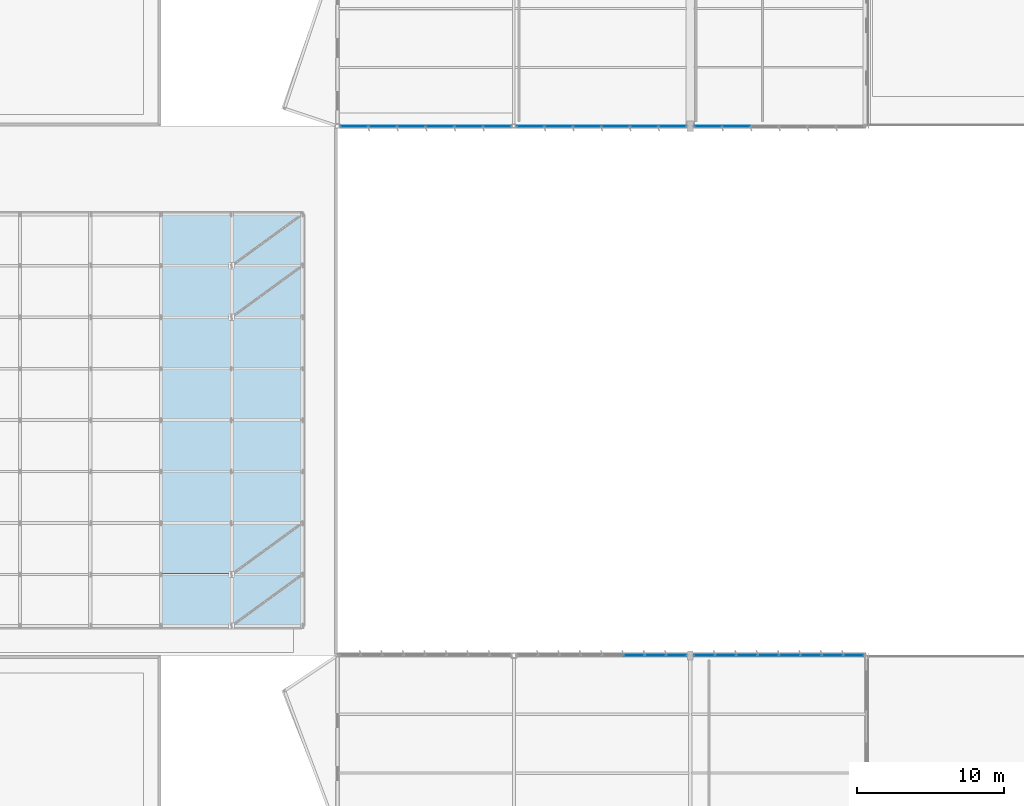
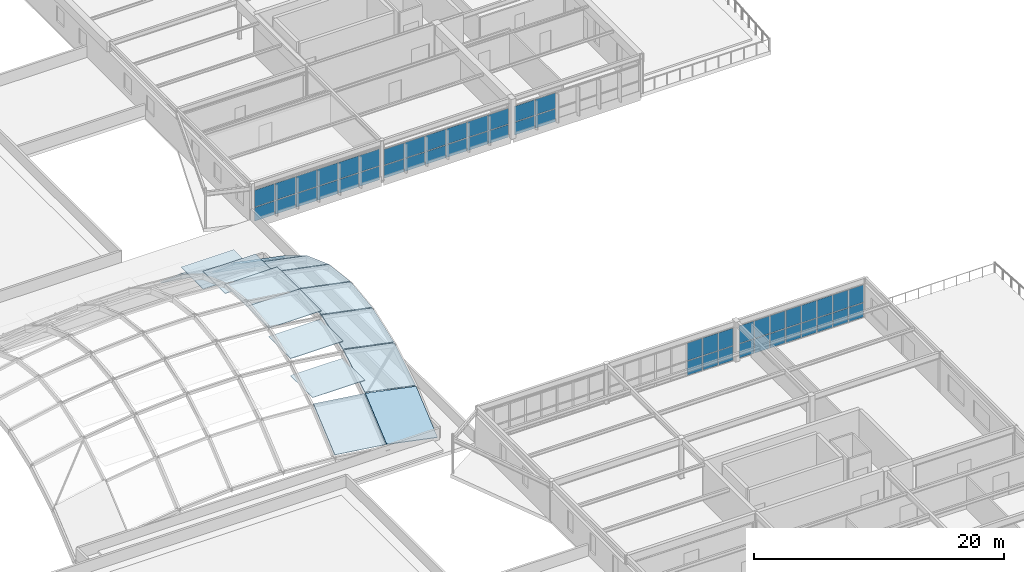
# One storey, part 81 of 128: 56 plates, 10 slabs, 5 elements without a shape of their own.
"""IFC4 building model written with IfcOpenShell, lengths in metres."""

from ifc_helpers import new_model, si_unit, direction, frame, origin, origin_2d, place, context, subcontext, project, spatial, polyline, rectangle, outline, extrude, material, layer, layer_set, type_object, element, aggregate, save


model = new_model("IFC4")

# Units and contexts
model_context = context("Model", 3, precision=1e-05, world=origin(), true_north=direction((0.0, 1.0)))
body_context = subcontext(model_context, "Body", "Model", "MODEL_VIEW")
ifc_project = project(units=[si_unit("LENGTHUNIT", "METRE"), si_unit("AREAUNIT", "SQUARE_METRE"), si_unit("VOLUMEUNIT", "CUBIC_METRE"), si_unit("PLANEANGLEUNIT", "RADIAN"), si_unit("MASSUNIT", "GRAM", prefix="KILO")], contexts=[model_context])

# Site, building, storey
site_placement = place(None, origin())
site = spatial("IfcSite", under=ifc_project, at=site_placement, CompositionType="ELEMENT")
building_placement = place(site_placement, origin())
building = spatial("IfcBuilding", under=site, at=building_placement, Name="Tarnwether General Hospital", CompositionType="ELEMENT")
storey_placement = place(building_placement, frame((0.0, 0.0, 14.39990234375)))
storey = spatial("IfcBuildingStorey", under=building, at=storey_placement, Name="L03", CompositionType="ELEMENT", Elevation=14.39990234375)

# Curtain wall, plates
ifc_material_1 = material(Name="Anodised aluminium", Category="aluminium")
ifc_layer_1 = layer(ifc_material_1, 0.159912109375)
ifc_layer_set_1 = layer_set([ifc_layer_1], Name="Anodised aluminium")
curtain_wall_type_1 = type_object("IfcCurtainWallType", Name="CW-18", PredefinedType="NOTDEFINED", material=ifc_layer_set_1)
curtain_wall_1_placement = place(storey_placement, origin())
curtain_wall_1 = element("IfcCurtainWall", 1, at=curtain_wall_1_placement, inside=storey, type_object=curtain_wall_type_1, Name="Curtain Wall CWG-L03-1562_456-0477", PredefinedType="NOTDEFINED")
ifc_material_2 = material(Name="Double glazed low-E glass", Category="glass")
ifc_layer_2 = layer(ifc_material_2, 0.028076171875)
ifc_layer_set_2 = layer_set([ifc_layer_2], Name="Double glazed low-E glass")
plate_type_1 = type_object("IfcPlateType", Name="PT-CWP1", PredefinedType="CURTAIN_PANEL", material=ifc_layer_set_2)
plate_1_placement = place(storey_placement, frame((164.1650390625, 45.60009765625, 0.06005859375), z_axis=(0.0, 0.0, 1.0), x_axis=(1.0, 0.0, 0.0)))
plate_1 = element("IfcPlate", 2, at=plate_1_placement, type_object=plate_type_1, Name="CW-18 panel 6.1", PredefinedType="CURTAIN_PANEL", context=body_context, shape_type="SweptSolid", body=[
    extrude(rectangle(XDim=1.390869140625, YDim=0.028076171875, at=origin_2d()), origin(), (0.0, 0.0, 1.0), 1.3828125),
])
plate_2_placement = place(storey_placement, frame((164.1650390625, 45.60009765625, 1.5029296875), z_axis=(0.0, 0.0, 1.0), x_axis=(1.0, 0.0, 0.0)))
plate_2 = element("IfcPlate", 3, at=plate_2_placement, type_object=plate_type_1, Name="CW-18 panel 6.2", PredefinedType="CURTAIN_PANEL", context=body_context, shape_type="SweptSolid", body=[
    extrude(rectangle(XDim=1.390869140625, YDim=0.028076171875, at=origin_2d()), origin(), (0.0, 0.0, 1.0), 1.710205078125),
])
plate_3_placement = place(storey_placement, frame((165.615966796875, 45.60009765625, 0.06005859375), z_axis=(0.0, 0.0, 1.0), x_axis=(1.0, 0.0, 0.0)))
plate_3 = element("IfcPlate", 4, at=plate_3_placement, type_object=plate_type_1, Name="CW-18 panel 7.1", PredefinedType="CURTAIN_PANEL", context=body_context, shape_type="SweptSolid", body=[
    extrude(rectangle(XDim=1.390869140625, YDim=0.028076171875, at=origin_2d()), origin(), (0.0, 0.0, 1.0), 1.3828125),
])
plate_4_placement = place(storey_placement, frame((165.615966796875, 45.60009765625, 1.5029296875), z_axis=(0.0, 0.0, 1.0), x_axis=(1.0, 0.0, 0.0)))
plate_4 = element("IfcPlate", 5, at=plate_4_placement, type_object=plate_type_1, Name="CW-18 panel 7.2", PredefinedType="CURTAIN_PANEL", context=body_context, shape_type="SweptSolid", body=[
    extrude(rectangle(XDim=1.390869140625, YDim=0.028076171875, at=origin_2d()), origin(), (0.0, 0.0, 1.0), 1.710205078125),
])
plate_5_placement = place(storey_placement, frame((167.051513671875, 45.60009765625, 0.06005859375), z_axis=(0.0, 0.0, 1.0), x_axis=(1.0, 0.0, 0.0)))
plate_5 = element("IfcPlate", 6, at=plate_5_placement, type_object=plate_type_1, Name="CW-18 panel 8.1", PredefinedType="CURTAIN_PANEL", context=body_context, shape_type="SweptSolid", body=[
    extrude(rectangle(XDim=1.36083984375, YDim=0.028076171875, at=origin_2d()), origin(), (0.0, 0.0, 1.0), 1.3828125),
])
plate_6_placement = place(storey_placement, frame((167.051513671875, 45.60009765625, 1.5029296875), z_axis=(0.0, 0.0, 1.0), x_axis=(1.0, 0.0, 0.0)))
plate_6 = element("IfcPlate", 7, at=plate_6_placement, type_object=plate_type_1, Name="CW-18 panel 8.2", PredefinedType="CURTAIN_PANEL", context=body_context, shape_type="SweptSolid", body=[
    extrude(rectangle(XDim=1.36083984375, YDim=0.028076171875, at=origin_2d()), origin(), (0.0, 0.0, 1.0), 1.710205078125),
])
aggregate(curtain_wall_1, [plate_1, plate_2, plate_3, plate_4, plate_5, plate_6])

curtain_wall_2_placement = place(storey_placement, origin())
curtain_wall_2 = element("IfcCurtainWall", 8, at=curtain_wall_2_placement, inside=storey, type_object=curtain_wall_type_1, Name="Curtain Wall CWG-L03-1682_456-0478", PredefinedType="NOTDEFINED")
plate_7_placement = place(storey_placement, frame((168.949951171875, 45.60009765625, 0.06005859375), z_axis=(0.0, 0.0, 1.0), x_axis=(1.0, 0.0, 0.0)))
plate_7 = element("IfcPlate", 9, at=plate_7_placement, type_object=plate_type_1, Name="CW-18 panel 1.1", PredefinedType="CURTAIN_PANEL", context=body_context, shape_type="SweptSolid", body=[
    extrude(rectangle(XDim=1.36376953125, YDim=0.028076171875, at=origin_2d()), origin(), (0.0, 0.0, 1.0), 1.385009765625),
])
plate_8_placement = place(storey_placement, frame((168.949951171875, 45.60009765625, 1.505126953125), z_axis=(0.0, 0.0, 1.0), x_axis=(1.0, 0.0, 0.0)))
plate_8 = element("IfcPlate", 10, at=plate_8_placement, type_object=plate_type_1, Name="CW-18 panel 1.2", PredefinedType="CURTAIN_PANEL", context=body_context, shape_type="SweptSolid", body=[
    extrude(rectangle(XDim=1.36376953125, YDim=0.028076171875, at=origin_2d()), origin(), (0.0, 0.0, 1.0), 1.712890625),
])
plate_9_placement = place(storey_placement, frame((170.388671875, 45.60009765625, 0.06005859375), z_axis=(0.0, 0.0, 1.0), x_axis=(1.0, 0.0, 0.0)))
plate_9 = element("IfcPlate", 11, at=plate_9_placement, type_object=plate_type_1, Name="CW-18 panel 2.1", PredefinedType="CURTAIN_PANEL", context=body_context, shape_type="SweptSolid", body=[
    extrude(rectangle(XDim=1.393798828125, YDim=0.028076171875, at=origin_2d()), origin(), (0.0, 0.0, 1.0), 1.385009765625),
])
plate_10_placement = place(storey_placement, frame((170.388671875, 45.60009765625, 1.505126953125), z_axis=(0.0, 0.0, 1.0), x_axis=(1.0, 0.0, 0.0)))
plate_10 = element("IfcPlate", 12, at=plate_10_placement, type_object=plate_type_1, Name="CW-18 panel 2.2", PredefinedType="CURTAIN_PANEL", context=body_context, shape_type="SweptSolid", body=[
    extrude(rectangle(XDim=1.393798828125, YDim=0.028076171875, at=origin_2d()), origin(), (0.0, 0.0, 1.0), 1.712890625),
])
plate_11_placement = place(storey_placement, frame((171.84228515625, 45.60009765625, 0.06005859375), z_axis=(0.0, 0.0, 1.0), x_axis=(1.0, 0.0, 0.0)))
plate_11 = element("IfcPlate", 13, at=plate_11_placement, type_object=plate_type_1, Name="CW-18 panel 3.1", PredefinedType="CURTAIN_PANEL", context=body_context, shape_type="SweptSolid", body=[
    extrude(rectangle(XDim=1.393798828125, YDim=0.028076171875, at=origin_2d()), origin(), (0.0, 0.0, 1.0), 1.385009765625),
])
plate_12_placement = place(storey_placement, frame((171.84228515625, 45.60009765625, 1.505126953125), z_axis=(0.0, 0.0, 1.0), x_axis=(1.0, 0.0, 0.0)))
plate_12 = element("IfcPlate", 14, at=plate_12_placement, type_object=plate_type_1, Name="CW-18 panel 3.2", PredefinedType="CURTAIN_PANEL", context=body_context, shape_type="SweptSolid", body=[
    extrude(rectangle(XDim=1.393798828125, YDim=0.028076171875, at=origin_2d()), origin(), (0.0, 0.0, 1.0), 1.712890625),
])
plate_13_placement = place(storey_placement, frame((173.296142578125, 45.60009765625, 0.06005859375), z_axis=(0.0, 0.0, 1.0), x_axis=(1.0, 0.0, 0.0)))
plate_13 = element("IfcPlate", 15, at=plate_13_placement, type_object=plate_type_1, Name="CW-18 panel 4.1", PredefinedType="CURTAIN_PANEL", context=body_context, shape_type="SweptSolid", body=[
    extrude(rectangle(XDim=1.393798828125, YDim=0.028076171875, at=origin_2d()), origin(), (0.0, 0.0, 1.0), 1.385009765625),
])
plate_14_placement = place(storey_placement, frame((173.296142578125, 45.60009765625, 1.505126953125), z_axis=(0.0, 0.0, 1.0), x_axis=(1.0, 0.0, 0.0)))
plate_14 = element("IfcPlate", 16, at=plate_14_placement, type_object=plate_type_1, Name="CW-18 panel 4.2", PredefinedType="CURTAIN_PANEL", context=body_context, shape_type="SweptSolid", body=[
    extrude(rectangle(XDim=1.393798828125, YDim=0.028076171875, at=origin_2d()), origin(), (0.0, 0.0, 1.0), 1.712890625),
])
plate_15_placement = place(storey_placement, frame((174.749755859375, 45.60009765625, 0.06005859375), z_axis=(0.0, 0.0, 1.0), x_axis=(1.0, 0.0, 0.0)))
plate_15 = element("IfcPlate", 17, at=plate_15_placement, type_object=plate_type_1, Name="CW-18 panel 5.1", PredefinedType="CURTAIN_PANEL", context=body_context, shape_type="SweptSolid", body=[
    extrude(rectangle(XDim=1.393798828125, YDim=0.028076171875, at=origin_2d()), origin(), (0.0, 0.0, 1.0), 1.385009765625),
])
plate_16_placement = place(storey_placement, frame((174.749755859375, 45.60009765625, 1.505126953125), z_axis=(0.0, 0.0, 1.0), x_axis=(1.0, 0.0, 0.0)))
plate_16 = element("IfcPlate", 18, at=plate_16_placement, type_object=plate_type_1, Name="CW-18 panel 5.2", PredefinedType="CURTAIN_PANEL", context=body_context, shape_type="SweptSolid", body=[
    extrude(rectangle(XDim=1.393798828125, YDim=0.028076171875, at=origin_2d()), origin(), (0.0, 0.0, 1.0), 1.712890625),
])
plate_17_placement = place(storey_placement, frame((176.20361328125, 45.60009765625, 0.06005859375), z_axis=(0.0, 0.0, 1.0), x_axis=(1.0, 0.0, 0.0)))
plate_17 = element("IfcPlate", 19, at=plate_17_placement, type_object=plate_type_1, Name="CW-18 panel 6.1", PredefinedType="CURTAIN_PANEL", context=body_context, shape_type="SweptSolid", body=[
    extrude(rectangle(XDim=1.393798828125, YDim=0.028076171875, at=origin_2d()), origin(), (0.0, 0.0, 1.0), 1.385009765625),
])
plate_18_placement = place(storey_placement, frame((176.20361328125, 45.60009765625, 1.505126953125), z_axis=(0.0, 0.0, 1.0), x_axis=(1.0, 0.0, 0.0)))
plate_18 = element("IfcPlate", 20, at=plate_18_placement, type_object=plate_type_1, Name="CW-18 panel 6.2", PredefinedType="CURTAIN_PANEL", context=body_context, shape_type="SweptSolid", body=[
    extrude(rectangle(XDim=1.393798828125, YDim=0.028076171875, at=origin_2d()), origin(), (0.0, 0.0, 1.0), 1.712890625),
])
plate_19_placement = place(storey_placement, frame((177.657470703125, 45.60009765625, 0.06005859375), z_axis=(0.0, 0.0, 1.0), x_axis=(1.0, 0.0, 0.0)))
plate_19 = element("IfcPlate", 21, at=plate_19_placement, type_object=plate_type_1, Name="CW-18 panel 7.1", PredefinedType="CURTAIN_PANEL", context=body_context, shape_type="SweptSolid", body=[
    extrude(rectangle(XDim=1.393798828125, YDim=0.028076171875, at=origin_2d()), origin(), (0.0, 0.0, 1.0), 1.385009765625),
])
plate_20_placement = place(storey_placement, frame((177.657470703125, 45.60009765625, 1.505126953125), z_axis=(0.0, 0.0, 1.0), x_axis=(1.0, 0.0, 0.0)))
plate_20 = element("IfcPlate", 22, at=plate_20_placement, type_object=plate_type_1, Name="CW-18 panel 7.2", PredefinedType="CURTAIN_PANEL", context=body_context, shape_type="SweptSolid", body=[
    extrude(rectangle(XDim=1.393798828125, YDim=0.028076171875, at=origin_2d()), origin(), (0.0, 0.0, 1.0), 1.712890625),
])
plate_21_placement = place(storey_placement, frame((179.09619140625, 45.60009765625, 0.06005859375), z_axis=(0.0, 0.0, 1.0), x_axis=(1.0, 0.0, 0.0)))
plate_21 = element("IfcPlate", 23, at=plate_21_placement, type_object=plate_type_1, Name="CW-18 panel 8.1", PredefinedType="CURTAIN_PANEL", context=body_context, shape_type="SweptSolid", body=[
    extrude(rectangle(XDim=1.36376953125, YDim=0.028076171875, at=origin_2d()), origin(), (0.0, 0.0, 1.0), 1.385009765625),
])
plate_22_placement = place(storey_placement, frame((179.09619140625, 45.60009765625, 1.505126953125), z_axis=(0.0, 0.0, 1.0), x_axis=(1.0, 0.0, 0.0)))
plate_22 = element("IfcPlate", 24, at=plate_22_placement, type_object=plate_type_1, Name="CW-18 panel 8.2", PredefinedType="CURTAIN_PANEL", context=body_context, shape_type="SweptSolid", body=[
    extrude(rectangle(XDim=1.36376953125, YDim=0.028076171875, at=origin_2d()), origin(), (0.0, 0.0, 1.0), 1.712890625),
])
aggregate(curtain_wall_2, [plate_7, plate_8, plate_9, plate_10, plate_11, plate_12, plate_13, plate_14, plate_15, plate_16, plate_17, plate_18, plate_19, plate_20, plate_21, plate_22])

ifc_material_3 = material(Name="Anodised aluminium", Category="aluminium")
ifc_layer_3 = layer(ifc_material_3, 0.159912109375)
ifc_layer_set_3 = layer_set([ifc_layer_3], Name="Anodised aluminium")
curtain_wall_type_2 = type_object("IfcCurtainWallType", Name="CW-17", PredefinedType="NOTDEFINED", material=ifc_layer_set_3)
curtain_wall_3_placement = place(storey_placement, origin())
curtain_wall_3 = element("IfcCurtainWall", 25, at=curtain_wall_3_placement, inside=storey, type_object=curtain_wall_type_2, Name="Curtain Wall CWG-L03-1799_816-0485", PredefinedType="NOTDEFINED")
plate_23_placement = place(storey_placement, frame((171.14013671875, 81.60009765625, 0.06005859375), z_axis=(0.0, 0.0, 1.0), x_axis=(-1.0, 0.0, 0.0)))
plate_23 = element("IfcPlate", 26, at=plate_23_placement, type_object=plate_type_1, Name="CW-17 panel 5.1", PredefinedType="CURTAIN_PANEL", context=body_context, shape_type="SweptSolid", body=[
    extrude(rectangle(XDim=1.878173828125, YDim=0.028076171875, at=origin_2d()), origin(), (0.0, 0.0, 1.0), 1.230712890625),
])
plate_24_placement = place(storey_placement, frame((171.14013671875, 81.60009765625, 1.35107421875), z_axis=(0.0, 0.0, 1.0), x_axis=(-1.0, 0.0, 0.0)))
plate_24 = element("IfcPlate", 27, at=plate_24_placement, type_object=plate_type_1, Name="CW-17 panel 5.2", PredefinedType="CURTAIN_PANEL", context=body_context, shape_type="SweptSolid", body=[
    extrude(rectangle(XDim=1.878173828125, YDim=0.028076171875, at=origin_2d()), origin(), (0.0, 0.0, 1.0), 1.524169921875),
])
plate_25_placement = place(storey_placement, frame((169.217041015625, 81.60009765625, 0.06005859375), z_axis=(0.0, 0.0, 1.0), x_axis=(-1.0, 0.0, 0.0)))
plate_25 = element("IfcPlate", 28, at=plate_25_placement, type_object=plate_type_1, Name="CW-17 panel 6.1", PredefinedType="CURTAIN_PANEL", context=body_context, shape_type="SweptSolid", body=[
    extrude(rectangle(XDim=1.84814453125, YDim=0.028076171875, at=origin_2d()), origin(), (0.0, 0.0, 1.0), 1.230712890625),
])
plate_26_placement = place(storey_placement, frame((169.217041015625, 81.60009765625, 1.35107421875), z_axis=(0.0, 0.0, 1.0), x_axis=(-1.0, 0.0, 0.0)))
plate_26 = element("IfcPlate", 29, at=plate_26_placement, type_object=plate_type_1, Name="CW-17 panel 6.2", PredefinedType="CURTAIN_PANEL", context=body_context, shape_type="SweptSolid", body=[
    extrude(rectangle(XDim=1.84814453125, YDim=0.028076171875, at=origin_2d()), origin(), (0.0, 0.0, 1.0), 1.524169921875),
])
aggregate(curtain_wall_3, [plate_23, plate_24, plate_25, plate_26])

curtain_wall_4_placement = place(storey_placement, origin())
curtain_wall_4 = element("IfcCurtainWall", 30, at=curtain_wall_4_placement, inside=storey, type_object=curtain_wall_type_2, Name="Curtain Wall CWG-L03-1678_816-0486", PredefinedType="NOTDEFINED")
plate_27_placement = place(storey_placement, frame((166.783447265625, 81.60009765625, 0.06005859375), z_axis=(0.0, 0.0, 1.0), x_axis=(-1.0, 0.0, 0.0)))
plate_27 = element("IfcPlate", 31, at=plate_27_placement, type_object=plate_type_1, Name="CW-17 panel 1.1", PredefinedType="CURTAIN_PANEL", context=body_context, shape_type="SweptSolid", body=[
    extrude(rectangle(XDim=1.846923828125, YDim=0.028076171875, at=origin_2d()), origin(), (0.0, 0.0, 1.0), 1.230712890625),
])
plate_28_placement = place(storey_placement, frame((166.783447265625, 81.60009765625, 1.35107421875), z_axis=(0.0, 0.0, 1.0), x_axis=(-1.0, 0.0, 0.0)))
plate_28 = element("IfcPlate", 32, at=plate_28_placement, type_object=plate_type_1, Name="CW-17 panel 1.2", PredefinedType="CURTAIN_PANEL", context=body_context, shape_type="SweptSolid", body=[
    extrude(rectangle(XDim=1.846923828125, YDim=0.028076171875, at=origin_2d()), origin(), (0.0, 0.0, 1.0), 1.524169921875),
])
plate_29_placement = place(storey_placement, frame((164.861572265625, 81.60009765625, 0.06005859375), z_axis=(0.0, 0.0, 1.0), x_axis=(-1.0, 0.0, 0.0)))
plate_29 = element("IfcPlate", 33, at=plate_29_placement, type_object=plate_type_1, Name="CW-17 panel 2.1", PredefinedType="CURTAIN_PANEL", context=body_context, shape_type="SweptSolid", body=[
    extrude(rectangle(XDim=1.876953125, YDim=0.028076171875, at=origin_2d()), origin(), (0.0, 0.0, 1.0), 1.230712890625),
])
plate_30_placement = place(storey_placement, frame((164.861572265625, 81.60009765625, 1.35107421875), z_axis=(0.0, 0.0, 1.0), x_axis=(-1.0, 0.0, 0.0)))
plate_30 = element("IfcPlate", 34, at=plate_30_placement, type_object=plate_type_1, Name="CW-17 panel 2.2", PredefinedType="CURTAIN_PANEL", context=body_context, shape_type="SweptSolid", body=[
    extrude(rectangle(XDim=1.876953125, YDim=0.028076171875, at=origin_2d()), origin(), (0.0, 0.0, 1.0), 1.524169921875),
])
plate_31_placement = place(storey_placement, frame((162.924560546875, 81.60009765625, 0.06005859375), z_axis=(0.0, 0.0, 1.0), x_axis=(-1.0, 0.0, 0.0)))
plate_31 = element("IfcPlate", 35, at=plate_31_placement, type_object=plate_type_1, Name="CW-17 panel 3.1", PredefinedType="CURTAIN_PANEL", context=body_context, shape_type="SweptSolid", body=[
    extrude(rectangle(XDim=1.876953125, YDim=0.028076171875, at=origin_2d()), origin(), (0.0, 0.0, 1.0), 1.230712890625),
])
plate_32_placement = place(storey_placement, frame((162.924560546875, 81.60009765625, 1.35107421875), z_axis=(0.0, 0.0, 1.0), x_axis=(-1.0, 0.0, 0.0)))
plate_32 = element("IfcPlate", 36, at=plate_32_placement, type_object=plate_type_1, Name="CW-17 panel 3.2", PredefinedType="CURTAIN_PANEL", context=body_context, shape_type="SweptSolid", body=[
    extrude(rectangle(XDim=1.876953125, YDim=0.028076171875, at=origin_2d()), origin(), (0.0, 0.0, 1.0), 1.524169921875),
])
plate_33_placement = place(storey_placement, frame((160.987548828125, 81.60009765625, 0.06005859375), z_axis=(0.0, 0.0, 1.0), x_axis=(-1.0, 0.0, 0.0)))
plate_33 = element("IfcPlate", 37, at=plate_33_placement, type_object=plate_type_1, Name="CW-17 panel 4.1", PredefinedType="CURTAIN_PANEL", context=body_context, shape_type="SweptSolid", body=[
    extrude(rectangle(XDim=1.876953125, YDim=0.028076171875, at=origin_2d()), origin(), (0.0, 0.0, 1.0), 1.230712890625),
])
plate_34_placement = place(storey_placement, frame((160.987548828125, 81.60009765625, 1.35107421875), z_axis=(0.0, 0.0, 1.0), x_axis=(-1.0, 0.0, 0.0)))
plate_34 = element("IfcPlate", 38, at=plate_34_placement, type_object=plate_type_1, Name="CW-17 panel 4.2", PredefinedType="CURTAIN_PANEL", context=body_context, shape_type="SweptSolid", body=[
    extrude(rectangle(XDim=1.876953125, YDim=0.028076171875, at=origin_2d()), origin(), (0.0, 0.0, 1.0), 1.524169921875),
])
plate_35_placement = place(storey_placement, frame((159.050537109375, 81.60009765625, 0.06005859375), z_axis=(0.0, 0.0, 1.0), x_axis=(-1.0, 0.0, 0.0)))
plate_35 = element("IfcPlate", 39, at=plate_35_placement, type_object=plate_type_1, Name="CW-17 panel 5.1", PredefinedType="CURTAIN_PANEL", context=body_context, shape_type="SweptSolid", body=[
    extrude(rectangle(XDim=1.876953125, YDim=0.028076171875, at=origin_2d()), origin(), (0.0, 0.0, 1.0), 1.230712890625),
])
plate_36_placement = place(storey_placement, frame((159.050537109375, 81.60009765625, 1.35107421875), z_axis=(0.0, 0.0, 1.0), x_axis=(-1.0, 0.0, 0.0)))
plate_36 = element("IfcPlate", 40, at=plate_36_placement, type_object=plate_type_1, Name="CW-17 panel 5.2", PredefinedType="CURTAIN_PANEL", context=body_context, shape_type="SweptSolid", body=[
    extrude(rectangle(XDim=1.876953125, YDim=0.028076171875, at=origin_2d()), origin(), (0.0, 0.0, 1.0), 1.524169921875),
])
plate_37_placement = place(storey_placement, frame((157.12841796875, 81.60009765625, 0.06005859375), z_axis=(0.0, 0.0, 1.0), x_axis=(-1.0, 0.0, 0.0)))
plate_37 = element("IfcPlate", 41, at=plate_37_placement, type_object=plate_type_1, Name="CW-17 panel 6.1", PredefinedType="CURTAIN_PANEL", context=body_context, shape_type="SweptSolid", body=[
    extrude(rectangle(XDim=1.846923828125, YDim=0.028076171875, at=origin_2d()), origin(), (0.0, 0.0, 1.0), 1.230712890625),
])
plate_38_placement = place(storey_placement, frame((157.12841796875, 81.60009765625, 1.35107421875), z_axis=(0.0, 0.0, 1.0), x_axis=(-1.0, 0.0, 0.0)))
plate_38 = element("IfcPlate", 42, at=plate_38_placement, type_object=plate_type_1, Name="CW-17 panel 6.2", PredefinedType="CURTAIN_PANEL", context=body_context, shape_type="SweptSolid", body=[
    extrude(rectangle(XDim=1.846923828125, YDim=0.028076171875, at=origin_2d()), origin(), (0.0, 0.0, 1.0), 1.524169921875),
])
aggregate(curtain_wall_4, [plate_27, plate_28, plate_29, plate_30, plate_31, plate_32, plate_33, plate_34, plate_35, plate_36, plate_37, plate_38])

curtain_wall_5_placement = place(storey_placement, origin())
curtain_wall_5 = element("IfcCurtainWall", 43, at=curtain_wall_5_placement, inside=storey, type_object=curtain_wall_type_2, Name="Curtain Wall CWG-L03-1559_816-0487", PredefinedType="NOTDEFINED")
plate_39_placement = place(storey_placement, frame((154.865234375, 81.60009765625, 0.06005859375), z_axis=(0.0, 0.0, 1.0), x_axis=(-1.0, 0.0, 0.0)))
plate_39 = element("IfcPlate", 44, at=plate_39_placement, type_object=plate_type_1, Name="CW-17 panel 1.1", PredefinedType="CURTAIN_PANEL", context=body_context, shape_type="SweptSolid", body=[
    extrude(rectangle(XDim=1.859619140625, YDim=0.028076171875, at=origin_2d()), origin(), (0.0, 0.0, 1.0), 1.323974609375),
])
plate_40_placement = place(storey_placement, frame((154.865234375, 81.60009765625, 1.44384765625), z_axis=(0.0, 0.0, 1.0), x_axis=(-1.0, 0.0, 0.0)))
plate_40 = element("IfcPlate", 45, at=plate_40_placement, type_object=plate_type_1, Name="CW-17 panel 1.2", PredefinedType="CURTAIN_PANEL", context=body_context, shape_type="SweptSolid", body=[
    extrude(rectangle(XDim=1.859619140625, YDim=0.028076171875, at=origin_2d()), origin(), (0.0, 0.0, 1.0), 1.63818359375),
])
plate_41_placement = place(storey_placement, frame((152.9306640625, 81.60009765625, 0.06005859375), z_axis=(0.0, 0.0, 1.0), x_axis=(-1.0, 0.0, 0.0)))
plate_41 = element("IfcPlate", 46, at=plate_41_placement, type_object=plate_type_1, Name="CW-17 panel 2.1", PredefinedType="CURTAIN_PANEL", context=body_context, shape_type="SweptSolid", body=[
    extrude(rectangle(XDim=1.889404296875, YDim=0.028076171875, at=origin_2d()), origin(), (0.0, 0.0, 1.0), 1.323974609375),
])
plate_42_placement = place(storey_placement, frame((152.9306640625, 81.60009765625, 1.44384765625), z_axis=(0.0, 0.0, 1.0), x_axis=(-1.0, 0.0, 0.0)))
plate_42 = element("IfcPlate", 47, at=plate_42_placement, type_object=plate_type_1, Name="CW-17 panel 2.2", PredefinedType="CURTAIN_PANEL", context=body_context, shape_type="SweptSolid", body=[
    extrude(rectangle(XDim=1.889404296875, YDim=0.028076171875, at=origin_2d()), origin(), (0.0, 0.0, 1.0), 1.63818359375),
])
plate_43_placement = place(storey_placement, frame((150.981201171875, 81.60009765625, 0.06005859375), z_axis=(0.0, 0.0, 1.0), x_axis=(-1.0, 0.0, 0.0)))
plate_43 = element("IfcPlate", 48, at=plate_43_placement, type_object=plate_type_1, Name="CW-17 panel 3.1", PredefinedType="CURTAIN_PANEL", context=body_context, shape_type="SweptSolid", body=[
    extrude(rectangle(XDim=1.889404296875, YDim=0.028076171875, at=origin_2d()), origin(), (0.0, 0.0, 1.0), 1.323974609375),
])
plate_44_placement = place(storey_placement, frame((150.981201171875, 81.60009765625, 1.44384765625), z_axis=(0.0, 0.0, 1.0), x_axis=(-1.0, 0.0, 0.0)))
plate_44 = element("IfcPlate", 49, at=plate_44_placement, type_object=plate_type_1, Name="CW-17 panel 3.2", PredefinedType="CURTAIN_PANEL", context=body_context, shape_type="SweptSolid", body=[
    extrude(rectangle(XDim=1.889404296875, YDim=0.028076171875, at=origin_2d()), origin(), (0.0, 0.0, 1.0), 1.63818359375),
])
plate_45_placement = place(storey_placement, frame((149.03173828125, 81.60009765625, 0.06005859375), z_axis=(0.0, 0.0, 1.0), x_axis=(-1.0, 0.0, 0.0)))
plate_45 = element("IfcPlate", 50, at=plate_45_placement, type_object=plate_type_1, Name="CW-17 panel 4.1", PredefinedType="CURTAIN_PANEL", context=body_context, shape_type="SweptSolid", body=[
    extrude(rectangle(XDim=1.889404296875, YDim=0.028076171875, at=origin_2d()), origin(), (0.0, 0.0, 1.0), 1.323974609375),
])
plate_46_placement = place(storey_placement, frame((149.03173828125, 81.60009765625, 1.44384765625), z_axis=(0.0, 0.0, 1.0), x_axis=(-1.0, 0.0, 0.0)))
plate_46 = element("IfcPlate", 51, at=plate_46_placement, type_object=plate_type_1, Name="CW-17 panel 4.2", PredefinedType="CURTAIN_PANEL", context=body_context, shape_type="SweptSolid", body=[
    extrude(rectangle(XDim=1.889404296875, YDim=0.028076171875, at=origin_2d()), origin(), (0.0, 0.0, 1.0), 1.63818359375),
])
plate_47_placement = place(storey_placement, frame((147.082275390625, 81.60009765625, 0.06005859375), z_axis=(0.0, 0.0, 1.0), x_axis=(-1.0, 0.0, 0.0)))
plate_47 = element("IfcPlate", 52, at=plate_47_placement, type_object=plate_type_1, Name="CW-17 panel 5.1", PredefinedType="CURTAIN_PANEL", context=body_context, shape_type="SweptSolid", body=[
    extrude(rectangle(XDim=1.889404296875, YDim=0.028076171875, at=origin_2d()), origin(), (0.0, 0.0, 1.0), 1.323974609375),
])
plate_48_placement = place(storey_placement, frame((147.082275390625, 81.60009765625, 1.44384765625), z_axis=(0.0, 0.0, 1.0), x_axis=(-1.0, 0.0, 0.0)))
plate_48 = element("IfcPlate", 53, at=plate_48_placement, type_object=plate_type_1, Name="CW-17 panel 5.2", PredefinedType="CURTAIN_PANEL", context=body_context, shape_type="SweptSolid", body=[
    extrude(rectangle(XDim=1.889404296875, YDim=0.028076171875, at=origin_2d()), origin(), (0.0, 0.0, 1.0), 1.63818359375),
])
plate_49_placement = place(storey_placement, frame((145.147705078125, 81.60009765625, 0.06005859375), z_axis=(0.0, 0.0, 1.0), x_axis=(-1.0, 0.0, 0.0)))
plate_49 = element("IfcPlate", 54, at=plate_49_placement, type_object=plate_type_1, Name="CW-17 panel 6.1", PredefinedType="CURTAIN_PANEL", context=body_context, shape_type="SweptSolid", body=[
    extrude(rectangle(XDim=1.859619140625, YDim=0.028076171875, at=origin_2d()), origin(), (0.0, 0.0, 1.0), 1.323974609375),
])
plate_50_placement = place(storey_placement, frame((145.147705078125, 81.60009765625, 1.44384765625), z_axis=(0.0, 0.0, 1.0), x_axis=(-1.0, 0.0, 0.0)))
plate_50 = element("IfcPlate", 55, at=plate_50_placement, type_object=plate_type_1, Name="CW-17 panel 6.2", PredefinedType="CURTAIN_PANEL", context=body_context, shape_type="SweptSolid", body=[
    extrude(rectangle(XDim=1.859619140625, YDim=0.028076171875, at=origin_2d()), origin(), (0.0, 0.0, 1.0), 1.63818359375),
])
aggregate(curtain_wall_5, [plate_39, plate_40, plate_41, plate_42, plate_43, plate_44, plate_45, plate_46, plate_47, plate_48, plate_49, plate_50])

# Plates
ifc_material_4 = material(Name="Laminated skylight glass", Category="glass")
ifc_layer_4 = layer(ifc_material_4, 0.0419921875)
ifc_layer_set_4 = layer_set([ifc_layer_4], Name="Laminated skylight glass")
plate_type_2 = type_object("IfcPlateType", Name="PT-SKY1", PredefinedType="SHEET", material=ifc_layer_set_4)
for number, where, z_axis, x_axis, name in (
    (56, (134.39990234375, 52.85009765625, 5.562744140625), (0.0, 0.0, 1.0), (1.0, 0.0, 0.0), "Main Hall Gridshell Skylight Panel 6-2"),
    (57, (134.39990234375, 59.85009765625, 8.11279296875), (0.0, 0.0, 1.0), (1.0, 0.0, 0.0), "Main Hall Gridshell Skylight Panel 6-4"),
    (58, (134.39990234375, 66.85009765625, 7.2626953125), (0.0, 0.0, 1.0), (1.0, 0.0, 0.0), "Main Hall Gridshell Skylight Panel 6-6"),
):
    element("IfcPlate", number, at=place(storey_placement, frame(where, z_axis=z_axis, x_axis=x_axis)), inside=storey, type_object=plate_type_2, Name=name, PredefinedType="SHEET", context=body_context, shape_type="SweptSolid", body=[
        extrude(rectangle(XDim=4.860107421875, YDim=3.56005859375, at=origin_2d()), origin(), (0.0, 0.0, 1.0), 0.0419921875),
    ])
ifc_material_5 = material(Name="Laminated skylight glass", Category="glass")
ifc_layer_5 = layer(ifc_material_5, 0.050048828125)
ifc_layer_set_5 = layer_set([ifc_layer_5], Name="Laminated skylight glass")
plate_type_3 = type_object("IfcPlateType", Name="PT-SKY2", PredefinedType="SHEET", material=ifc_layer_set_5)
for number, where, z_axis, x_axis, name in (
    (59, (134.39990234375, 56.35009765625, 7.2587890625), (0.0, 0.0, 1.0), (1.0, 0.0, 0.0), "Main Hall Gridshell Skylight Panel 6-3"),
    (60, (134.39990234375, 63.35009765625, 8.10888671875), (0.0, 0.0, 1.0), (1.0, 0.0, 0.0), "Main Hall Gridshell Skylight Panel 6-5"),
    (61, (134.39990234375, 70.35009765625, 5.55859375), (0.0, 0.0, 1.0), (1.0, 0.0, 0.0), "Main Hall Gridshell Skylight Panel 6-7"),
):
    element("IfcPlate", number, at=place(storey_placement, frame(where, z_axis=z_axis, x_axis=x_axis)), inside=storey, type_object=plate_type_3, Name=name, PredefinedType="SHEET", context=body_context, shape_type="SweptSolid", body=[
        extrude(rectangle(XDim=4.860107421875, YDim=3.56005859375, at=origin_2d()), origin(), (0.0, 0.0, 1.0), 0.050048828125),
    ])

# Slabs
ifc_material_6 = material(Name="Precast concrete 40 MPa", Category="concrete")
ifc_layer_6 = layer(ifc_material_6, 0.139892578125)
ifc_layer_set_6 = layer_set([ifc_layer_6], Name="Precast concrete 40 MPa")
slab_type = type_object("IfcSlabType", Name="SL-GS140", PredefinedType="ROOF", material=ifc_layer_set_6)
slab_1_placement = place(storey_placement, frame((132.048095703125, 47.635009765625, 2.06103515625), z_axis=(0.103136276428, -0.644205624388, 0.757866757413), x_axis=(0.990866746857, 0.0, -0.134844688341)))
element("IfcSlab", 62, at=slab_1_placement, inside=storey, type_object=slab_type, Name="Main Hall Gridshell Roof Panel 6-1", PredefinedType="ROOF", context=body_context, shape_type="SweptSolid", body=[
    extrude(outline(polyline([(0.0, 0.0), (4.747214937626118, 5.551115123125783e-17), (4.354071561609673, 4.484436312114247), (-0.3931433760164449, 4.484436312114247), (0.0, 0.0)])), origin(), (0.0, 0.0, -1.0), 0.139892578125),
])
slab_2_placement = place(storey_placement, frame((132.048095703125, 72.135009765625, 4.9765625), z_axis=(0.103136276428, 0.644205624388, 0.757866757413), x_axis=(0.990866746857, 0.0, -0.134844688341)))
element("IfcSlab", 63, at=slab_2_placement, inside=storey, type_object=slab_type, Name="Main Hall Gridshell Roof Panel 6-8", PredefinedType="ROOF", context=body_context, shape_type="SweptSolid", body=[
    extrude(outline(polyline([(0.0, 0.0), (4.747214937626118, -5.551115123125783e-17), (5.140358313642563, 4.484436312114247), (0.3931433760164449, 4.484436312114247), (0.0, 0.0)])), origin(), (0.0, 0.0, -1.0), 0.139892578125),
])
slab_3_placement = place(storey_placement, frame((136.847900390625, 47.635009765625, 1.40478515625), z_axis=(0.153678267829, -0.639965853923, 0.752878938349), x_axis=(0.979796535152, 0.0, -0.199996874235)))
element("IfcSlab", 64, at=slab_3_placement, inside=storey, type_object=slab_type, Name="Main Hall Gridshell Roof Panel 7-1", PredefinedType="ROOF", context=body_context, shape_type="SweptSolid", body=[
    extrude(outline(polyline([(0.0, 0.0), (4.80110042619106, 1.1102230246251565e-16), (4.218004070695322, 4.463712512216935), (-0.5830963554957382, 4.463712512216935), (0.0, 0.0)])), origin(), (0.0, 0.0, -1.0), 0.139892578125),
])
slab_4_placement = place(storey_placement, frame((136.847900390625, 51.135009765625, 4.37109375), z_axis=(0.171839475382, -0.51126926433, 0.842065872751), x_axis=(0.979806498603, 0.0, -0.199948056493)))
element("IfcSlab", 65, at=slab_4_placement, inside=storey, type_object=slab_type, Name="Main Hall Gridshell Roof Panel 7-2", PredefinedType="ROOF", context=body_context, shape_type="SweptSolid", body=[
    extrude(outline(polyline([(0.0, 0.0), (4.801051604788354, 0.0), (4.384655871906216, 3.990981489688442), (-0.4163957328821379, 3.9909814896884424), (0.0, 0.0)])), origin(), (0.0, 0.0, -1.0), 0.139892578125),
])
slab_5_placement = place(storey_placement, frame((136.847900390625, 54.635009765625, 6.48779296875), z_axis=(0.188357756368, -0.336163896449, 0.922775807193), x_axis=(0.979796535152, 0.0, -0.199996874235)))
element("IfcSlab", 66, at=slab_5_placement, inside=storey, type_object=slab_type, Name="Main Hall Gridshell Roof Panel 7-3", PredefinedType="ROOF", context=body_context, shape_type="SweptSolid", body=[
    extrude(outline(polyline([(0.0, 0.0), (4.80110042619106, 0.0), (4.551201988121458, 3.6418760776973804), (-0.2498984380696021, 3.6418760776973804), (0.0, 0.0)])), origin(), (0.0, 0.0, -1.0), 0.139892578125),
])
slab_6_placement = place(storey_placement, frame((136.847900390625, 58.135009765625, 7.754150390625), z_axis=(0.198547651277, -0.118146673082, 0.972944085656), x_axis=(0.979806498603, 0.0, -0.199948056493)))
element("IfcSlab", 67, at=slab_6_placement, inside=storey, type_object=slab_type, Name="Main Hall Gridshell Roof Panel 7-4", PredefinedType="ROOF", context=body_context, shape_type="SweptSolid", body=[
    extrude(outline(polyline([(0.0, 0.0), (4.801051604788354, 0.0), (4.717772458211926, 3.454123788607976), (-0.08327914657642758, 3.4541237886079763), (0.0, 0.0)])), origin(), (0.0, 0.0, -1.0), 0.139892578125),
])
slab_7_placement = place(storey_placement, frame((136.847900390625, 61.635009765625, 8.170654296875), z_axis=(0.198547651277, 0.118146673082, 0.972944085656), x_axis=(0.979806498603, 0.0, -0.199948056493)))
element("IfcSlab", 68, at=slab_7_placement, inside=storey, type_object=slab_type, Name="Main Hall Gridshell Roof Panel 7-5", PredefinedType="ROOF", context=body_context, shape_type="SweptSolid", body=[
    extrude(outline(polyline([(0.0, 0.0), (4.801051604788354, 0.0), (4.884330751364781, 3.4541237886079763), (0.08327914657642758, 3.4541237886079763), (0.0, 0.0)])), origin(), (0.0, 0.0, -1.0), 0.139892578125),
])
slab_8_placement = place(storey_placement, frame((136.847900390625, 65.135009765625, 7.7373046875), z_axis=(0.188357756368, 0.336163896449, 0.922775807193), x_axis=(0.979796535152, 0.0, -0.199996874235)))
element("IfcSlab", 69, at=slab_8_placement, inside=storey, type_object=slab_type, Name="Main Hall Gridshell Roof Panel 7-6", PredefinedType="ROOF", context=body_context, shape_type="SweptSolid", body=[
    extrude(outline(polyline([(0.0, 0.0), (4.80110042619106, 0.0), (5.050998864260663, 3.6418760776973804), (0.2498984380696021, 3.6418760776973804), (0.0, 0.0)])), origin(), (0.0, 0.0, -1.0), 0.139892578125),
])
slab_9_placement = place(storey_placement, frame((136.847900390625, 68.635009765625, 6.45361328125), z_axis=(0.171839475382, 0.51126926433, 0.842065872751), x_axis=(0.979806498603, 0.0, -0.199948056493)))
element("IfcSlab", 70, at=slab_9_placement, inside=storey, type_object=slab_type, Name="Main Hall Gridshell Roof Panel 7-7", PredefinedType="ROOF", context=body_context, shape_type="SweptSolid", body=[
    extrude(outline(polyline([(0.0, 0.0), (4.801051604788354, 0.0), (5.2174473376704915, 3.9909814896884424), (0.4163957328821379, 3.9909814896884424), (0.0, 0.0)])), origin(), (0.0, 0.0, -1.0), 0.139892578125),
])
slab_10_placement = place(storey_placement, frame((136.847900390625, 72.135009765625, 4.3203125), z_axis=(0.153678267829, 0.639965853923, 0.752878938349), x_axis=(0.979796535152, 0.0, -0.199996874235)))
element("IfcSlab", 71, at=slab_10_placement, inside=storey, type_object=slab_type, Name="Main Hall Gridshell Roof Panel 7-8", PredefinedType="ROOF", context=body_context, shape_type="SweptSolid", body=[
    extrude(outline(polyline([(0.0, 0.0), (4.80110042619106, -1.1102230246251565e-16), (5.384196781686799, 4.463712512216935), (0.5830963554957382, 4.463712512216935), (0.0, 0.0)])), origin(), (0.0, 0.0, -1.0), 0.139892578125),
])

save(model, "model.ifc")
